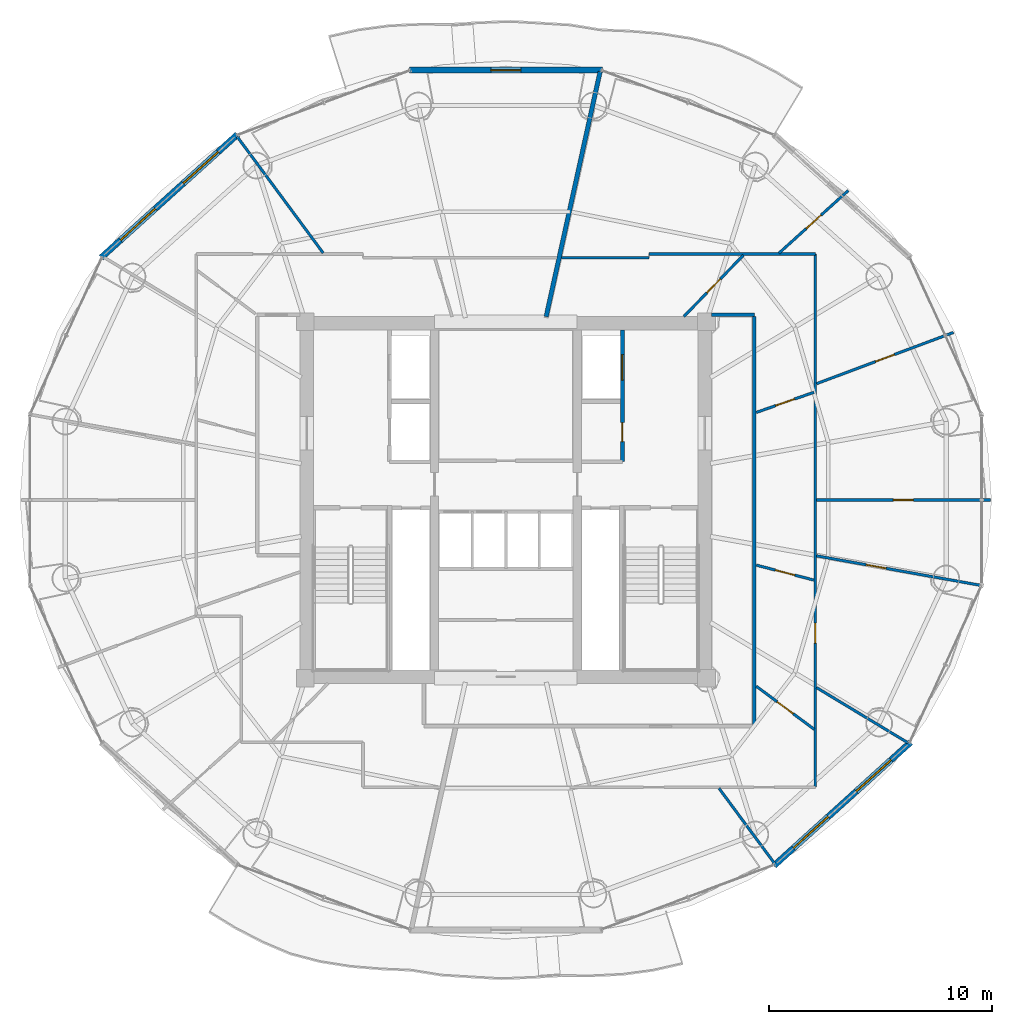
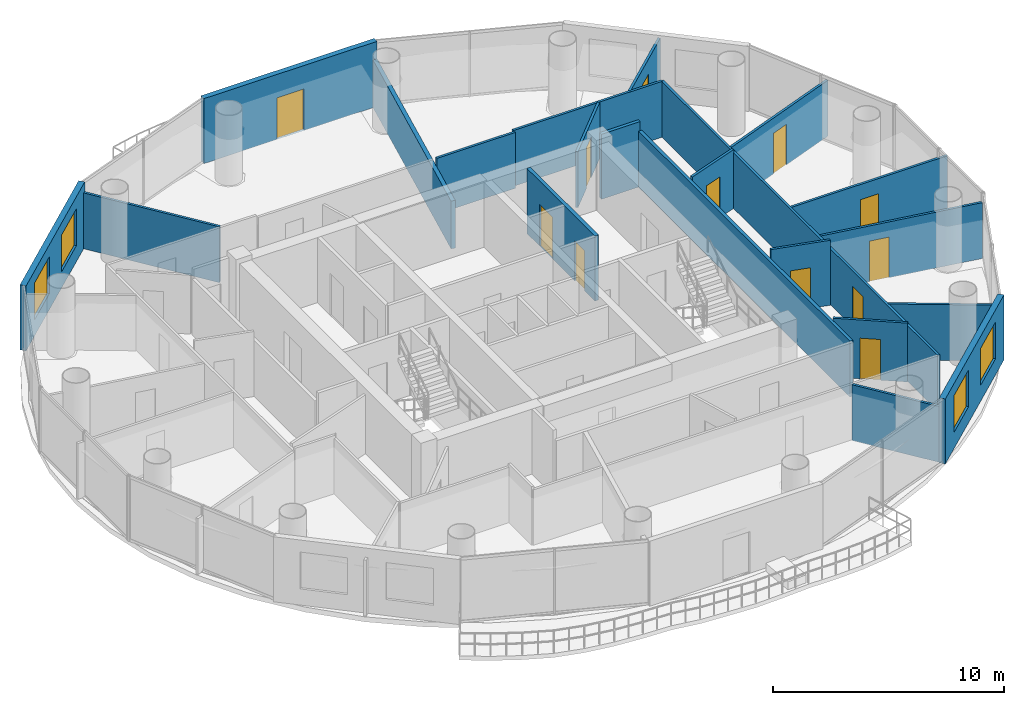
# One storey, part 22 of 26: 21 walls, 12 doors, 4 windows, 16 openings.
"""IFC4 building model written with IfcOpenShell, lengths in metres."""

import ifcopenshell
import ifcopenshell.guid

model = None  # the IFC model being written
_history = None  # IfcOwnerHistory: only IFC2X3 demands one
_inside = {}  # id of a spatial element -> (the spatial element, [elements in it])
_under = {}  # id of a project, library or spatial element -> (it, [spatial elements below it])
_declared = {}  # id of a project -> (the project, [libraries it declares])
_typed = {}  # id of a type object -> (the type object, [elements of that type])
_made_of = {}  # id of a material, layer set ... -> (it, [elements and type objects made of it])


def new_model(schema):
    """Start an empty IFC model of exactly this schema.

    Asked for "IFC4X3", IfcOpenShell would pick the latest addendum, in which some entities
    have other attributes; the version numbers below select the first issue.
    IFC2X3 requires an IfcOwnerHistory on every rooted entity: one is made here for all.
    """
    global model, _history
    if schema == "IFC4X3":
        model = ifcopenshell.file(schema_version=(4, 3, 0, 0))
    else:
        model = ifcopenshell.file(schema=schema)
    _inside.clear()
    _under.clear()
    _declared.clear()
    _typed.clear()
    _made_of.clear()
    _history = None
    if model.schema == "IFC2X3":
        org = make("IfcOrganization", Name="unknown")
        user = make(
            "IfcPersonAndOrganization",
            ThePerson=make("IfcPerson", FamilyName="unknown"),
            TheOrganization=org,
        )
        app = make(
            "IfcApplication",
            ApplicationDeveloper=org,
            Version="unknown",
            ApplicationFullName="unknown",
            ApplicationIdentifier="unknown",
        )
        _history = make(
            "IfcOwnerHistory",
            OwningUser=user,
            OwningApplication=app,
            ChangeAction="ADDED",
            CreationDate=0,
        )
    return model


def make(cls, **values):
    """One entity of the class cls with the attributes given. An attribute that is None is left unset."""
    return model.create_entity(
        cls, **{name: value for name, value in values.items() if value is not None}
    )


def rooted(cls, **values):
    """An entity with a GlobalId (a new one), such as an element, a storey or a relation."""
    return make(cls, GlobalId=ifcopenshell.guid.new(), OwnerHistory=_history, **values)


def si_unit(unit_type, name, prefix=None):
    """IfcSIUnit, for example si_unit("LENGTHUNIT", "METRE", prefix="MILLI")."""
    return make("IfcSIUnit", UnitType=unit_type, Prefix=prefix, Name=name)


def assignment(units):
    """IfcUnitAssignment: the units of a project."""
    return None if units is None else make("IfcUnitAssignment", Units=units)


def point(xyz):
    """IfcCartesianPoint."""
    return None if xyz is None else make("IfcCartesianPoint", Coordinates=xyz)


def direction(xyz):
    """IfcDirection."""
    return None if xyz is None else make("IfcDirection", DirectionRatios=xyz)


def frame(location, z_axis=None, x_axis=None):
    """IfcAxis2Placement3D, a coordinate frame: its origin and axes. An axis left out is left unset."""
    return make(
        "IfcAxis2Placement3D",
        Location=point(location),
        Axis=direction(z_axis),
        RefDirection=direction(x_axis),
    )


def frame_2d(location, x_axis=None):
    """IfcAxis2Placement2D, a coordinate frame in the plane: its origin and x axis."""
    return make(
        "IfcAxis2Placement2D", Location=point(location), RefDirection=direction(x_axis)
    )


def origin():
    """The frame at (0, 0, 0) with its axes left unset."""
    return frame((0.0, 0.0, 0.0))


def place(relative_to, where):
    """IfcLocalPlacement: puts the frame where relative to a parent placement (None: the world)."""
    return make(
        "IfcLocalPlacement", PlacementRelTo=relative_to, RelativePlacement=where
    )


def context(
    kind, dimensions, precision=None, world=None, true_north=None, identifier=None
):
    """IfcGeometricRepresentationContext, for example the 3D "Model" context."""
    return make(
        "IfcGeometricRepresentationContext",
        ContextIdentifier=identifier,
        ContextType=kind,
        CoordinateSpaceDimension=dimensions,
        Precision=precision,
        WorldCoordinateSystem=world,
        TrueNorth=true_north,
    )


def subcontext(parent, identifier, kind, view, scale=None):
    """IfcGeometricRepresentationSubContext, for example "Body" below "Model"."""
    return make(
        "IfcGeometricRepresentationSubContext",
        ContextIdentifier=identifier,
        ContextType=kind,
        ParentContext=parent,
        TargetScale=scale,
        TargetView=view,
    )


def project(units=None, contexts=None):
    """IfcProject with its units and contexts."""
    return rooted(
        "IfcProject",
        Name="project",
        RepresentationContexts=contexts,
        UnitsInContext=assignment(units),
    )


def spatial(cls, under=None, at=None, **own):
    """A site, building, storey or space (cls), placed at a placement, below another one or the project."""
    s = rooted(cls, ObjectPlacement=at, **own)
    if under is not None:
        _under.setdefault(under.id(), (under, []))[1].append(s)
    return s


def profile(cls, at=None, kind="AREA", **sizes):
    """A parametric profile (cls). Its sizes go by their IFC names, for example OverallWidth=200.0."""
    return make(cls, ProfileType=kind, Position=at, **sizes)


def rectangle(**sizes):
    """IfcRectangleProfileDef."""
    return profile("IfcRectangleProfileDef", **sizes)


def extrude(swept, where, along, depth):
    """IfcExtrudedAreaSolid: the profile swept, set in the frame where, extruded along a direction by depth."""
    return make(
        "IfcExtrudedAreaSolid",
        SweptArea=swept,
        Position=where,
        ExtrudedDirection=direction(along),
        Depth=depth,
    )


def shape(context_of_items, identifier, shape_type, items):
    """IfcShapeRepresentation: the items that make up one representation, for example the "Body"."""
    return make(
        "IfcShapeRepresentation",
        ContextOfItems=context_of_items,
        RepresentationIdentifier=identifier,
        RepresentationType=shape_type,
        Items=items,
    )


def source(mapping_origin, context_of_items, identifier, shape_type, items):
    """IfcRepresentationMap: a shape defined once, which mapped items show again and again."""
    return make(
        "IfcRepresentationMap",
        MappingOrigin=mapping_origin,
        MappedRepresentation=shape(context_of_items, identifier, shape_type, items),
    )


def transform(
    local_origin,
    x_axis=None,
    y_axis=None,
    z_axis=None,
    scale=None,
    scale2=None,
    scale3=None,
    uniform=True,
):
    """IfcCartesianTransformationOperator3D, or its non-uniform kind. x_axis, y_axis, z_axis: its Axis1, 2, 3."""
    if uniform:
        return make(
            "IfcCartesianTransformationOperator3D",
            Axis1=direction(x_axis),
            Axis2=direction(y_axis),
            LocalOrigin=point(local_origin),
            Scale=scale,
            Axis3=direction(z_axis),
        )
    return make(
        "IfcCartesianTransformationOperator3DnonUniform",
        Axis1=direction(x_axis),
        Axis2=direction(y_axis),
        LocalOrigin=point(local_origin),
        Scale=scale,
        Axis3=direction(z_axis),
        Scale2=scale2,
        Scale3=scale3,
    )


def mapped(mapping_source, mapping_target):
    """IfcMappedItem: shows the shape of a source again, moved by a transform."""
    return make(
        "IfcMappedItem", MappingSource=mapping_source, MappingTarget=mapping_target
    )


def material(Name=None, Category=None):
    """IfcMaterial."""
    return make("IfcMaterial", Name=Name, Category=Category)


def layer(
    of_material, thickness, ventilated=None, Name=None, Category=None, Priority=None
):
    """IfcMaterialLayer: one layer of a wall or slab, of a material (None: an air gap)."""
    return make(
        "IfcMaterialLayer",
        Material=of_material,
        LayerThickness=thickness,
        IsVentilated=ventilated,
        Name=Name,
        Category=Category,
        Priority=Priority,
    )


def layer_set(layers, Name=None):
    """IfcMaterialLayerSet."""
    return make("IfcMaterialLayerSet", MaterialLayers=layers, LayerSetName=Name)


def made_of(thing, what):
    """Note that an element or type object is made of a material, layer set ...; save() writes the relation."""
    if what is not None:
        _made_of.setdefault(what.id(), (what, []))[1].append(thing)
    return thing


def type_object(cls, material=None, **own):
    """A type object (cls), such as IfcWallType, which elements share."""
    return made_of(rooted(cls, **own), material)


def element(
    cls,
    number,
    at=None,
    inside=None,
    cuts=None,
    type_object=None,
    material=None,
    context=None,
    identifier="Body",
    shape_type=None,
    held_by="IfcProductDefinitionShape",
    body=None,
    shapes=None,
    **own,
):
    """One element of the class cls, such as IfcWall. Its Tag is "e" and its number.

    at: its placement. inside: the storey or other place that contains it. cuts: it is an
    opening in that element (IfcRelVoidsElement). A single representation is given by context,
    identifier, shape_type and body (its items); several are given by shapes. held_by: the class
    of the entity that holds the representations. save() writes the other relations.
    """
    e = rooted(cls, Tag="e%d" % number, ObjectPlacement=at, **own)
    if body is not None:
        shapes = [shape(context, identifier, shape_type, body)]
    if shapes is not None:
        e.Representation = make(held_by, Representations=shapes)
    if inside is not None:
        _inside.setdefault(inside.id(), (inside, []))[1].append(e)
    if cuts is not None:
        rooted(
            "IfcRelVoidsElement", RelatingBuildingElement=cuts, RelatedOpeningElement=e
        )
    if type_object is not None:
        _typed.setdefault(type_object.id(), (type_object, []))[1].append(e)
    return made_of(e, material)


def fill(opening, filler):
    """IfcRelFillsElement: the door or window that sits in an opening."""
    return rooted(
        "IfcRelFillsElement",
        RelatingOpeningElement=opening,
        RelatedBuildingElement=filler,
    )


def aggregate(whole, parts):
    """IfcRelAggregates: a whole, such as a stair, and the parts it consists of."""
    return rooted("IfcRelAggregates", RelatingObject=whole, RelatedObjects=parts)


def save(model, path):
    """Write the relations noted so far, then the file.

    IfcRelAggregates (storeys below a building ...), IfcRelContainedInSpatialStructure (elements
    in a storey), IfcRelDefinesByType, IfcRelAssociatesMaterial and IfcRelDeclares: one each for
    every whole, place, type object, material and project.
    """
    for whole, parts in _under.values():
        aggregate(whole, parts)
    for where, things in _inside.values():
        rooted(
            "IfcRelContainedInSpatialStructure",
            RelatedElements=things,
            RelatingStructure=where,
        )
    for kind, things in _typed.values():
        rooted("IfcRelDefinesByType", RelatedObjects=things, RelatingType=kind)
    for what, things in _made_of.values():
        rooted("IfcRelAssociatesMaterial", RelatedObjects=things, RelatingMaterial=what)
    for by, libraries in _declared.values():
        rooted("IfcRelDeclares", RelatingContext=by, RelatedDefinitions=libraries)
    model.write(path)


model = new_model("IFC4")

# Units and contexts
model_context = context("Model", 3, precision=1e-05, world=origin(), true_north=direction((-0.2419218956, 0.970295726276)))
body_context = subcontext(model_context, "Body", "Model", "MODEL_VIEW")
ifc_project = project(units=[si_unit("LENGTHUNIT", "METRE"), si_unit("AREAUNIT", "SQUARE_METRE"), si_unit("VOLUMEUNIT", "CUBIC_METRE"), si_unit("PLANEANGLEUNIT", "RADIAN"), si_unit("MASSUNIT", "GRAM", prefix="KILO")], contexts=[model_context])

# Site, building, storey
site_placement = place(None, origin())
site = spatial("IfcSite", under=ifc_project, at=site_placement, CompositionType="ELEMENT")
building_placement = place(site_placement, origin())
building = spatial("IfcBuilding", under=site, at=building_placement, Name="Cobrevalo Terracotta Tower", CompositionType="ELEMENT")
storey_placement = place(building_placement, frame((0.0, 0.0, 231.89990234375)))
storey = spatial("IfcBuildingStorey", under=building, at=storey_placement, Name="L61", CompositionType="ELEMENT", Elevation=231.89990234375)

# Walls
ifc_material_1 = material(Name="Gypsum board on steel stud", Category="steel")
ifc_layer_1 = layer(ifc_material_1, 0.159912109375)
ifc_layer_set_1 = layer_set([ifc_layer_1], Name="Gypsum board on steel stud")
wall_type_1 = type_object("IfcWallType", Name="Fire-rated corridor acoustic partition wall 160 mm", PredefinedType="PARTITIONING", material=ifc_layer_set_1)
wall_1_placement = place(storey_placement, frame((49.155029296875, 16.72509765625, 0.0), z_axis=(0.0, 0.0, 1.0), x_axis=(0.0, 1.0, 0.0)))
element("IfcWall", 1, at=wall_1_placement, inside=storey, type_object=wall_type_1, Name="L61 interior partition IW-L61-COR-E", PredefinedType="PARTITIONING", context=body_context, shape_type="SweptSolid", body=[
    extrude(rectangle(XDim=18.2998046875, YDim=0.159912109375, at=frame_2d((9.14990234375, 0.0))), origin(), (0.0, 0.0, 1.0), 2.951171875),
])
wall_2_placement = place(storey_placement, frame((47.22509765625, 35.10498046875, 0.0), z_axis=(0.0, 0.0, 1.0), x_axis=(1.0, 0.0, 0.0)))
element("IfcWall", 2, at=wall_2_placement, inside=storey, type_object=wall_type_1, Name="L61 interior partition IW-L61-COR-EN-CAP", PredefinedType="PARTITIONING", context=body_context, shape_type="SweptSolid", body=[
    extrude(rectangle(XDim=1.929931640625, YDim=0.159912109375, at=frame_2d((0.96484375, 0.0))), origin(), (0.0, 0.0, 1.0), 3.43505859375),
])

# Wall, openings, doors
ifc_layer_2 = layer(ifc_material_1, 0.179931640625)
ifc_layer_set_2 = layer_set([ifc_layer_2], Name="Gypsum board on steel stud")
wall_type_2 = type_object("IfcWallType", Name="Fire-rated shaft & lobby acoustic partition wall 180 mm", PredefinedType="PARTITIONING", material=ifc_layer_set_2)
wall_3_placement = place(storey_placement, frame((43.22998046875, 28.52001953125, 0.0), z_axis=(0.0, 0.0, 1.0), x_axis=(0.0, 1.0, 0.0)))
wall_3 = element("IfcWall", 3, at=wall_3_placement, inside=storey, type_object=wall_type_2, Name="L61 interior partition IW-L61-FF2-E", PredefinedType="PARTITIONING", context=body_context, shape_type="SweptSolid", body=[
    extrude(rectangle(XDim=5.905029296875, YDim=0.179931640625, at=frame_2d((2.95263671875, 0.0))), origin(), (0.0, 0.0, 1.0), 3.43505859375),
])
opening_1_placement = place(wall_3_placement, frame((0.905029296875, 0.0, 0.0)))
opening_1 = element("IfcOpeningElement", 4, at=opening_1_placement, cuts=wall_3, Name="Opening ID-22", PredefinedType="OPENING", context=body_context, shape_type="SweptSolid", body=[
    extrude(rectangle(XDim=0.85009765625, YDim=2.10009765625, at=frame_2d((0.425048828125, 1.050048828125))), frame((0.0, 0.10009765625, 0.0), z_axis=(0.0, -1.0, 0.0), x_axis=(1.0, 0.0, 0.0)), (0.0, 0.0, 1.0), 0.199951171875),
])
opening_2_placement = place(wall_3_placement, frame((3.655029296875, 0.0, 0.0)))
opening_2 = element("IfcOpeningElement", 5, at=opening_2_placement, cuts=wall_3, Name="Opening LD-02", PredefinedType="OPENING", context=body_context, shape_type="SweptSolid", body=[
    extrude(rectangle(XDim=1.14990234375, YDim=2.199951171875, at=frame_2d((0.574951171875, 1.10009765625))), frame((0.0, 0.10009765625, 0.0), z_axis=(0.0, -1.0, 0.0), x_axis=(1.0, 0.0, 0.0)), (0.0, 0.0, 1.0), 0.199951171875),
])
ifc_material_2 = material(Name="Powder-coated steel", Category="steel")
door_type_1 = type_object("IfcDoorType", Name="Riser shaft & meter closet fire access door 850x2100 EI 60", OperationType="NOTDEFINED", PredefinedType="DOOR", material=ifc_material_2)
shared_shape_1 = source(origin(), body_context, "Body", "SweptSolid", [
    extrude(rectangle(XDim=0.85009765625, YDim=2.10009765625, at=frame_2d((0.425048828125, 1.050048828125))), frame((0.0, 0.02490234375, 0.0), z_axis=(0.0, -1.0, 0.0), x_axis=(1.0, 0.0, 0.0)), (0.0, 0.0, 1.0), 0.050048828125),
])
door_1_placement = place(opening_1_placement, frame((0.85009765625, 0.0, 0.0), z_axis=(0.0, 0.0, 1.0), x_axis=(-1.0, 0.0, 0.0)))
door_1 = element("IfcDoor", 6, at=door_1_placement, inside=storey, type_object=door_type_1, Name="L61 housekeeping store door", OperationType="SINGLE_SWING_RIGHT", OverallHeight=2.10009765625, OverallWidth=0.85009765625, PredefinedType="DOOR", context=body_context, shape_type="MappedRepresentation", body=[
    mapped(shared_shape_1, transform((0.0, 0.0, 0.0), scale=1.0)),
])
fill(opening_1, door_1)
ifc_material_3 = material(Name="Brushed stainless steel", Category="steel")
door_type_2 = type_object("IfcDoorType", Name="Firefighting lift landing bi-parting sliding door 1150x2200 EI 120", OperationType="DOUBLE_DOOR_SLIDING", PredefinedType="DOOR", material=ifc_material_3)
shared_shape_2 = source(origin(), body_context, "Body", "SweptSolid", [
    extrude(rectangle(XDim=1.14990234375, YDim=2.199951171875, at=frame_2d((0.574951171875, 1.10009765625))), frame((0.0, 0.02490234375, 0.0), z_axis=(0.0, -1.0, 0.0), x_axis=(1.0, 0.0, 0.0)), (0.0, 0.0, 1.0), 0.050048828125),
])
door_2_placement = place(opening_2_placement, origin())
door_2 = element("IfcDoor", 7, at=door_2_placement, inside=storey, type_object=door_type_2, Name="L61 lift landing door FF-2", OperationType="DOUBLE_DOOR_SLIDING", OverallHeight=2.199951171875, OverallWidth=1.14990234375, PredefinedType="DOOR", context=body_context, shape_type="MappedRepresentation", body=[
    mapped(shared_shape_2, transform((0.0, 0.0, 0.0), scale=1.0)),
])
fill(opening_2, door_2)

# Wall
ifc_material_4 = material(Name="Autoclaved aerated concrete block", Category="concrete")
ifc_layer_3 = layer(ifc_material_4, 0.199951171875)
ifc_layer_set_3 = layer_set([ifc_layer_3], Name="Autoclaved aerated concrete block")
wall_type_3 = type_object("IfcWallType", Name="Fire-rated stair, shaft & demising masonry wall 200 mm", PredefinedType="PARTITIONING", material=ifc_layer_set_3)
wall_4_placement = place(storey_placement, frame((39.810791015625, 35.02685546875, 0.0), z_axis=(0.0, 0.0, 1.0), x_axis=(0.214966857327, 0.976621344356, 0.0)))
element("IfcWall", 8, at=wall_4_placement, inside=storey, type_object=wall_type_3, Name="L61 interior partition IW-L61-DEM-1", PredefinedType="PARTITIONING", context=body_context, shape_type="SweptSolid", body=[
    extrude(rectangle(XDim=11.25830078125, YDim=0.199951171875, at=frame_2d((5.629150390625, 0.0))), origin(), (0.0, 0.0, 1.0), 2.52001953125),
])

# Wall, openings, windows
ifc_layer_4 = layer(ifc_material_4, 0.280029296875)
ifc_layer_set_4 = layer_set([ifc_layer_4], Name="Autoclaved aerated concrete block")
wall_type_4 = type_object("IfcWallType", Name="Insulated tower spandrel & pier wall 280 mm with terracotta rainscreen", PredefinedType="SOLIDWALL", material=ifc_layer_set_4)
wall_5_placement = place(storey_placement, frame((25.964599609375, 43.208740234375, 0.0), z_axis=(0.0, 0.0, 1.0), x_axis=(-0.741972126783, -0.670430729514, 0.0)))
wall_5 = element("IfcWall", 9, at=wall_5_placement, inside=storey, type_object=wall_type_4, Name="L61 terracotta rainscreen pier wall S06", PredefinedType="SOLIDWALL", context=body_context, shape_type="SweptSolid", body=[
    extrude(rectangle(XDim=8.255126953125, YDim=0.280029296875, at=frame_2d((4.12744140625, 0.0))), origin(), (0.0, 0.0, 1.0), 3.43505859375),
])
opening_3_placement = place(wall_5_placement, frame((1.1787109375, 0.0, 0.85009765625)))
opening_3 = element("IfcOpeningElement", 10, at=opening_3_placement, cuts=wall_5, Name="Opening WN-10", PredefinedType="OPENING", context=body_context, shape_type="SweptSolid", body=[
    extrude(rectangle(XDim=2.10009765625, YDim=1.949951171875, at=frame_2d((1.050048828125, 0.97509765625))), frame((0.0, 0.14990234375, 0.0), z_axis=(0.0, -1.0, 0.0), x_axis=(1.0, 0.0, 0.0)), (0.0, 0.0, 1.0), 0.300048828125),
])
opening_4_placement = place(wall_5_placement, frame((4.97607421875, 0.0, 0.85009765625)))
opening_4 = element("IfcOpeningElement", 11, at=opening_4_placement, cuts=wall_5, Name="Opening WN-10", PredefinedType="OPENING", context=body_context, shape_type="SweptSolid", body=[
    extrude(rectangle(XDim=2.10009765625, YDim=1.949951171875, at=frame_2d((1.050048828125, 0.97509765625))), frame((0.0, 0.14990234375, 0.0), z_axis=(0.0, -1.0, 0.0), x_axis=(1.0, 0.0, 0.0)), (0.0, 0.0, 1.0), 0.300048828125),
])
ifc_material_5 = material(Name="Solar-control low-E double glazing", Category="glass")
window_type = type_object("IfcWindowType", Name="Wide panoramic low-E aluminium window 2100x1950", PartitioningType="SINGLE_PANEL", PredefinedType="WINDOW", material=ifc_material_5)
shared_shape_3 = source(origin(), body_context, "Body", "SweptSolid", [
    extrude(rectangle(XDim=2.10009765625, YDim=1.949951171875, at=frame_2d((1.050048828125, 0.97509765625))), frame((0.0, 0.030029296875, 0.0), z_axis=(0.0, -1.0, 0.0), x_axis=(1.0, 0.0, 0.0)), (0.0, 0.0, 1.0), 0.06005859375),
])
window_1_placement = place(opening_3_placement, origin())
window_1 = element("IfcWindow", 12, at=window_1_placement, inside=storey, type_object=window_type, Name="L61 suite window S06A", OverallHeight=1.949951171875, OverallWidth=2.10009765625, PartitioningType="SINGLE_PANEL", PredefinedType="WINDOW", context=body_context, shape_type="MappedRepresentation", body=[
    mapped(shared_shape_3, transform((0.0, 0.0, 0.0), scale=1.0)),
])
fill(opening_3, window_1)
window_2_placement = place(opening_4_placement, origin())
window_2 = element("IfcWindow", 13, at=window_2_placement, inside=storey, type_object=window_type, Name="L61 suite window S06B", OverallHeight=1.949951171875, OverallWidth=2.10009765625, PartitioningType="SINGLE_PANEL", PredefinedType="WINDOW", context=body_context, shape_type="MappedRepresentation", body=[
    mapped(shared_shape_3, transform((0.0, 0.0, 0.0), scale=1.0)),
])
fill(opening_4, window_2)

wall_6_placement = place(storey_placement, frame((50.035400390625, 10.391357421875, 0.0), z_axis=(0.0, 0.0, 1.0), x_axis=(0.741986838603, 0.670414447443, 0.0)))
wall_6 = element("IfcWall", 14, at=wall_6_placement, inside=storey, type_object=wall_type_4, Name="L61 terracotta rainscreen pier wall S14", PredefinedType="SOLIDWALL", context=body_context, shape_type="SweptSolid", body=[
    extrude(rectangle(XDim=8.2548828125, YDim=0.280029296875, at=frame_2d((4.12744140625, 0.0))), origin(), (0.0, 0.0, 1.0), 3.43505859375),
])
opening_5_placement = place(wall_6_placement, frame((1.1787109375, 0.0, 0.85009765625)))
opening_5 = element("IfcOpeningElement", 15, at=opening_5_placement, cuts=wall_6, Name="Opening WN-10", PredefinedType="OPENING", context=body_context, shape_type="SweptSolid", body=[
    extrude(rectangle(XDim=2.10009765625, YDim=1.949951171875, at=frame_2d((1.050048828125, 0.97509765625))), frame((0.0, 0.14990234375, 0.0), z_axis=(0.0, -1.0, 0.0), x_axis=(1.0, 0.0, 0.0)), (0.0, 0.0, 1.0), 0.300048828125),
])
opening_6_placement = place(wall_6_placement, frame((4.97607421875, 0.0, 0.85009765625)))
opening_6 = element("IfcOpeningElement", 16, at=opening_6_placement, cuts=wall_6, Name="Opening WN-10", PredefinedType="OPENING", context=body_context, shape_type="SweptSolid", body=[
    extrude(rectangle(XDim=2.10009765625, YDim=1.949951171875, at=frame_2d((1.050048828125, 0.97509765625))), frame((0.0, 0.14990234375, 0.0), z_axis=(0.0, -1.0, 0.0), x_axis=(1.0, 0.0, 0.0)), (0.0, 0.0, 1.0), 0.300048828125),
])
window_3_placement = place(opening_5_placement, origin())
window_3 = element("IfcWindow", 17, at=window_3_placement, inside=storey, type_object=window_type, Name="L61 suite window S14A", OverallHeight=1.949951171875, OverallWidth=2.10009765625, PartitioningType="SINGLE_PANEL", PredefinedType="WINDOW", context=body_context, shape_type="MappedRepresentation", body=[
    mapped(shared_shape_3, transform((0.0, 0.0, 0.0), scale=1.0)),
])
fill(opening_5, window_3)
window_4_placement = place(opening_6_placement, origin())
window_4 = element("IfcWindow", 18, at=window_4_placement, inside=storey, type_object=window_type, Name="L61 suite window S14B", OverallHeight=1.949951171875, OverallWidth=2.10009765625, PartitioningType="SINGLE_PANEL", PredefinedType="WINDOW", context=body_context, shape_type="MappedRepresentation", body=[
    mapped(shared_shape_3, transform((0.0, 0.0, 0.0), scale=1.0)),
])
fill(opening_6, window_4)

# Wall, opening, door
ifc_layer_5 = layer(ifc_material_4, 0.260009765625)
ifc_layer_set_5 = layer_set([ifc_layer_5], Name="Autoclaved aerated concrete block")
wall_type_5 = type_object("IfcWallType", Name="Recessed balcony loggia insulated exterior wall 260 mm", PredefinedType="SOLIDWALL", material=ifc_layer_set_5)
wall_7_placement = place(storey_placement, frame((42.3271484375, 46.092041015625, 0.0), z_axis=(0.0, 0.0, 1.0), x_axis=(-1.0, 0.0, 0.0)))
wall_7 = element("IfcWall", 19, at=wall_7_placement, inside=storey, type_object=wall_type_5, Name="L61 balcony loggia wall S04", PredefinedType="SOLIDWALL", context=body_context, shape_type="SweptSolid", body=[
    extrude(rectangle(XDim=8.654296875, YDim=0.260009765625, at=frame_2d((4.3271484375, 0.0))), origin(), (0.0, 0.0, 1.0), 3.43505859375),
])
opening_7_placement = place(wall_7_placement, frame((3.652099609375, 0.0, 0.0)))
opening_7 = element("IfcOpeningElement", 20, at=opening_7_placement, cuts=wall_7, Name="Opening ED-05", PredefinedType="OPENING", context=body_context, shape_type="SweptSolid", body=[
    extrude(rectangle(XDim=1.35009765625, YDim=2.199951171875, at=frame_2d((0.675048828125, 1.10009765625))), frame((0.0, 0.14013671875, 0.0), z_axis=(0.0, -1.0, 0.0), x_axis=(1.0, 0.0, 0.0)), (0.0, 0.0, 1.0), 0.280029296875),
])
ifc_material_6 = material(Name="Anodized aluminium and laminated glass", Category="aluminium")
door_type_3 = type_object("IfcDoorType", Name="Suite balcony acoustic glazed terrace door 1350x2200", OperationType="NOTDEFINED", PredefinedType="DOOR", material=ifc_material_6)
shared_shape_4 = source(origin(), body_context, "Body", "SweptSolid", [
    extrude(rectangle(XDim=1.35009765625, YDim=2.199951171875, at=frame_2d((0.675048828125, 1.10009765625))), frame((0.0, 0.02490234375, 0.0), z_axis=(0.0, -1.0, 0.0), x_axis=(1.0, 0.0, 0.0)), (0.0, 0.0, 1.0), 0.050048828125),
])
door_3_placement = place(opening_7_placement, frame((1.35009765625, 0.0, 0.0), z_axis=(0.0, 0.0, 1.0), x_axis=(-1.0, 0.0, 0.0)))
door_3 = element("IfcDoor", 21, at=door_3_placement, inside=storey, type_object=door_type_3, Name="L61 glazed balcony terrace door 1", OperationType="SINGLE_SWING_LEFT", OverallHeight=2.199951171875, OverallWidth=1.35009765625, PredefinedType="DOOR", context=body_context, shape_type="MappedRepresentation", body=[
    mapped(shared_shape_4, transform((0.0, 0.0, 0.0), scale=1.0)),
])
fill(opening_7, door_3)

# Walls
ifc_layer_6 = layer(ifc_material_1, 0.1201171875)
ifc_layer_set_6 = layer_set([ifc_layer_6], Name="Gypsum board on steel stud")
wall_type_6 = type_object("IfcWallType", Name="Residential internal acoustic stud partition 120 mm", PredefinedType="PARTITIONING", material=ifc_layer_set_6)
wall_8_placement = place(storey_placement, frame((29.8037109375, 37.884765625, 0.0), z_axis=(0.0, 0.0, 1.0), x_axis=(-0.594507557292, 0.804090022524, 0.0)))
element("IfcWall", 22, at=wall_8_placement, inside=storey, type_object=wall_type_6, Name="L61 interior partition IW-L61-U1-ORAD1", PredefinedType="PARTITIONING", context=body_context, shape_type="SweptSolid", body=[
    extrude(rectangle(XDim=6.4814453125, YDim=0.1201171875, at=frame_2d((3.24072265625, 0.0))), origin(), (0.0, 0.0, 1.0), 2.951171875),
])
wall_9_placement = place(storey_placement, frame((40.495849609375, 37.675048828125, 0.0), z_axis=(0.0, 0.0, 1.0), x_axis=(1.0, 0.0, 0.0)))
element("IfcWall", 23, at=wall_9_placement, inside=storey, type_object=wall_type_6, Name="L61 interior partition IW-L61-U2-RING0_0", PredefinedType="PARTITIONING", context=body_context, shape_type="SweptSolid", body=[
    extrude(rectangle(XDim=3.919189453125, YDim=0.1201171875, at=frame_2d((1.95947265625, 0.0))), origin(), (0.0, 0.0, 1.0), 2.951171875),
])
wall_10_placement = place(storey_placement, frame((44.4150390625, 37.8349609375, 0.0), z_axis=(0.0, 0.0, 1.0), x_axis=(1.0, 0.0, 0.0)))
element("IfcWall", 24, at=wall_10_placement, inside=storey, type_object=wall_type_6, Name="L61 interior partition IW-L61-U2-RING2_0", PredefinedType="PARTITIONING", context=body_context, shape_type="SweptSolid", body=[
    extrude(rectangle(XDim=7.469970703125, YDim=0.1201171875, at=frame_2d((3.73486328125, 0.0))), origin(), (0.0, 0.0, 1.0), 2.951171875),
])

# Wall, opening, door
wall_11_placement = place(storey_placement, frame((51.885009765625, 37.8349609375, 0.0), z_axis=(0.0, 0.0, 1.0), x_axis=(0.0, -1.0, 0.0)))
wall_11 = element("IfcWall", 25, at=wall_11_placement, inside=storey, type_object=wall_type_6, Name="L61 interior partition IW-L61-U2-RING3_0", PredefinedType="PARTITIONING", context=body_context, shape_type="SweptSolid", body=[
    extrude(rectangle(XDim=23.919921875, YDim=0.1201171875, at=frame_2d((11.9599609375, 0.0))), origin(), (0.0, 0.0, 1.0), 2.951171875),
])
opening_8_placement = place(wall_11_placement, frame((16.55810546875, 0.0, 0.0)))
opening_8 = element("IfcOpeningElement", 26, at=opening_8_placement, cuts=wall_11, Name="Opening ID-12", PredefinedType="OPENING", context=body_context, shape_type="SweptSolid", body=[
    extrude(rectangle(XDim=0.89990234375, YDim=2.14990234375, at=frame_2d((0.449951171875, 1.074951171875))), frame((0.0, 0.070068359375, 0.0), z_axis=(0.0, -1.0, 0.0), x_axis=(1.0, 0.0, 0.0)), (0.0, 0.0, 1.0), 0.14013671875),
])
ifc_material_7 = material(Name="Engineered timber", Category="wood")
door_type_4 = type_object("IfcDoorType", Name="Internal residence & suite timber door 900x2150", OperationType="NOTDEFINED", PredefinedType="DOOR", material=ifc_material_7)
shared_shape_5 = source(origin(), body_context, "Body", "SweptSolid", [
    extrude(rectangle(XDim=0.89990234375, YDim=2.14990234375, at=frame_2d((0.449951171875, 1.074951171875))), frame((0.0, 0.02490234375, 0.0), z_axis=(0.0, -1.0, 0.0), x_axis=(1.0, 0.0, 0.0)), (0.0, 0.0, 1.0), 0.050048828125),
])
door_4_placement = place(opening_8_placement, origin())
door_4 = element("IfcDoor", 27, at=door_4_placement, inside=storey, type_object=door_type_4, Name="Flat L61B Principal Guest Bedroom internal door", OperationType="SINGLE_SWING_LEFT", OverallHeight=2.14990234375, OverallWidth=0.89990234375, PredefinedType="DOOR", context=body_context, shape_type="MappedRepresentation", body=[
    mapped(shared_shape_5, transform((0.0, 0.0, 0.0), scale=1.0)),
])
fill(opening_8, door_4)

# Walls
wall_12_placement = place(storey_placement, frame((47.564208984375, 13.865234375, 0.0), z_axis=(0.0, 0.0, 1.0), x_axis=(0.594501071103, -0.804094818076, 0.0)))
element("IfcWall", 28, at=wall_12_placement, inside=storey, type_object=wall_type_6, Name="L61 interior partition IW-L61-U2-ORAD1", PredefinedType="PARTITIONING", context=body_context, shape_type="SweptSolid", body=[
    extrude(rectangle(XDim=4.1806640625, YDim=0.1201171875, at=frame_2d((2.09033203125, 0.0))), origin(), (0.0, 0.0, 1.0), 2.951171875),
])
wall_13_placement = place(storey_placement, frame((51.93798828125, 18.384033203125, 0.0), z_axis=(0.0, 0.0, 1.0), x_axis=(0.856058483833, -0.516878972543, 0.0)))
element("IfcWall", 29, at=wall_13_placement, inside=storey, type_object=wall_type_6, Name="L61 interior partition IW-L61-U2-ORAD2", PredefinedType="PARTITIONING", context=body_context, shape_type="SweptSolid", body=[
    extrude(rectangle(XDim=4.78662109375, YDim=0.1201171875, at=frame_2d((2.393310546875, 0.0))), origin(), (0.0, 0.0, 1.0), 2.951171875),
])

# Wall, opening, door
wall_14_placement = place(storey_placement, frame((51.946044921875, 24.293212890625, 0.0), z_axis=(0.0, 0.0, 1.0), x_axis=(0.984227185588, -0.176909149424, 0.0)))
wall_14 = element("IfcWall", 30, at=wall_14_placement, inside=storey, type_object=wall_type_6, Name="L61 interior partition IW-L61-U2-ORAD3", PredefinedType="PARTITIONING", context=body_context, shape_type="SweptSolid", body=[
    extrude(rectangle(XDim=7.447998046875, YDim=0.1201171875, at=frame_2d((3.72412109375, 0.0))), origin(), (0.0, 0.0, 1.0), 2.951171875),
])
opening_9_placement = place(wall_14_placement, frame((2.263916015625, 0.0, 0.0)))
opening_9 = element("IfcOpeningElement", 31, at=opening_9_placement, cuts=wall_14, Name="Opening ID-12", PredefinedType="OPENING", context=body_context, shape_type="SweptSolid", body=[
    extrude(rectangle(XDim=0.89990234375, YDim=2.14990234375, at=frame_2d((0.449951171875, 1.074951171875))), frame((0.0, 0.070068359375, 0.0), z_axis=(0.0, -1.0, 0.0), x_axis=(1.0, 0.0, 0.0)), (0.0, 0.0, 1.0), 0.14013671875),
])
door_5_placement = place(opening_9_placement, origin())
door_5 = element("IfcDoor", 32, at=door_5_placement, inside=storey, type_object=door_type_4, Name="Flat L61B North Bedroom internal door", OperationType="SINGLE_SWING_RIGHT", OverallHeight=2.14990234375, OverallWidth=0.89990234375, PredefinedType="DOOR", context=body_context, shape_type="MappedRepresentation", body=[
    mapped(shared_shape_5, transform((0.0, 0.0, 0.0), scale=1.0)),
])
fill(opening_9, door_5)

wall_15_placement = place(storey_placement, frame((51.947021484375, 26.800048828125, 0.0), z_axis=(0.0, 0.0, 1.0), x_axis=(1.0, 0.0, 0.0)))
wall_15 = element("IfcWall", 33, at=wall_15_placement, inside=storey, type_object=wall_type_6, Name="L61 interior partition IW-L61-U2-ORAD4M1", PredefinedType="PARTITIONING", context=body_context, shape_type="SweptSolid", body=[
    extrude(rectangle(XDim=7.79296875, YDim=0.1201171875, at=frame_2d((3.896484375, 0.0))), origin(), (0.0, 0.0, 1.0), 2.951171875),
])
opening_10_placement = place(wall_15_placement, frame((3.446533203125, 0.0, 0.0)))
opening_10 = element("IfcOpeningElement", 34, at=opening_10_placement, cuts=wall_15, Name="Opening ID-12", PredefinedType="OPENING", context=body_context, shape_type="SweptSolid", body=[
    extrude(rectangle(XDim=0.89990234375, YDim=2.14990234375, at=frame_2d((0.449951171875, 1.074951171875))), frame((0.0, 0.070068359375, 0.0), z_axis=(0.0, -1.0, 0.0), x_axis=(1.0, 0.0, 0.0)), (0.0, 0.0, 1.0), 0.14013671875),
])
door_6_placement = place(opening_10_placement, origin())
door_6 = element("IfcDoor", 35, at=door_6_placement, inside=storey, type_object=door_type_4, Name="Flat L61B Principal Guest Bedroom internal door", OperationType="SINGLE_SWING_LEFT", OverallHeight=2.14990234375, OverallWidth=0.89990234375, PredefinedType="DOOR", context=body_context, shape_type="MappedRepresentation", body=[
    mapped(shared_shape_5, transform((0.0, 0.0, 0.0), scale=1.0)),
])
fill(opening_10, door_6)

wall_16_placement = place(storey_placement, frame((51.943115234375, 32.01904296875, 0.0), z_axis=(0.0, 0.0, 1.0), x_axis=(0.936540194592, 0.350560214389, 0.0)))
wall_16 = element("IfcWall", 36, at=wall_16_placement, inside=storey, type_object=wall_type_6, Name="L61 interior partition IW-L61-U2-ORAD4", PredefinedType="PARTITIONING", context=body_context, shape_type="SweptSolid", body=[
    extrude(rectangle(XDim=6.55615234375, YDim=0.1201171875, at=frame_2d((3.278076171875, 0.0))), origin(), (0.0, 0.0, 1.0), 2.951171875),
])
opening_11_placement = place(wall_16_placement, frame((2.828125, 0.0, 0.0)))
opening_11 = element("IfcOpeningElement", 37, at=opening_11_placement, cuts=wall_16, Name="Opening ID-12", PredefinedType="OPENING", context=body_context, shape_type="SweptSolid", body=[
    extrude(rectangle(XDim=0.89990234375, YDim=2.14990234375, at=frame_2d((0.449951171875, 1.074951171875))), frame((0.0, 0.070068359375, 0.0), z_axis=(0.0, -1.0, 0.0), x_axis=(1.0, 0.0, 0.0)), (0.0, 0.0, 1.0), 0.14013671875),
])
door_7_placement = place(opening_11_placement, origin())
door_7 = element("IfcDoor", 38, at=door_7_placement, inside=storey, type_object=door_type_4, Name="Flat L61B Penthouse Family Lounge internal door", OperationType="SINGLE_SWING_RIGHT", OverallHeight=2.14990234375, OverallWidth=0.89990234375, PredefinedType="DOOR", context=body_context, shape_type="MappedRepresentation", body=[
    mapped(shared_shape_5, transform((0.0, 0.0, 0.0), scale=1.0)),
])
fill(opening_11, door_7)

wall_17_placement = place(storey_placement, frame((50.25732421875, 37.87646484375, 0.0), z_axis=(0.0, 0.0, 1.0), x_axis=(0.741943837234, 0.670462036502, 0.0)))
wall_17 = element("IfcWall", 39, at=wall_17_placement, inside=storey, type_object=wall_type_6, Name="L61 interior partition IW-L61-U2-ORAD5", PredefinedType="PARTITIONING", context=body_context, shape_type="SweptSolid", body=[
    extrude(rectangle(XDim=4.194091796875, YDim=0.1201171875, at=frame_2d((2.09716796875, 0.0))), origin(), (0.0, 0.0, 1.0), 2.951171875),
])
opening_12_placement = place(wall_17_placement, frame((1.64697265625, 0.0, 0.0)))
opening_12 = element("IfcOpeningElement", 40, at=opening_12_placement, cuts=wall_17, Name="Opening ID-12", PredefinedType="OPENING", context=body_context, shape_type="SweptSolid", body=[
    extrude(rectangle(XDim=0.89990234375, YDim=2.14990234375, at=frame_2d((0.449951171875, 1.074951171875))), frame((0.0, 0.070068359375, 0.0), z_axis=(0.0, -1.0, 0.0), x_axis=(1.0, 0.0, 0.0)), (0.0, 0.0, 1.0), 0.14013671875),
])
door_8_placement = place(opening_12_placement, origin())
door_8 = element("IfcDoor", 41, at=door_8_placement, inside=storey, type_object=door_type_4, Name="Flat L61B Private Cinema Room internal door", OperationType="SINGLE_SWING_LEFT", OverallHeight=2.14990234375, OverallWidth=0.89990234375, PredefinedType="DOOR", context=body_context, shape_type="MappedRepresentation", body=[
    mapped(shared_shape_5, transform((0.0, 0.0, 0.0), scale=1.0)),
])
fill(opening_12, door_8)

wall_18_placement = place(storey_placement, frame((49.236572265625, 18.4443359375, 0.0), z_axis=(0.0, 0.0, 1.0), x_axis=(0.802454010275, -0.596713969497, 0.0)))
wall_18 = element("IfcWall", 42, at=wall_18_placement, inside=storey, type_object=wall_type_6, Name="L61 interior partition IW-L61-U2-IRAD2", PredefinedType="PARTITIONING", context=body_context, shape_type="SweptSolid", body=[
    extrude(rectangle(XDim=3.23828125, YDim=0.1201171875, at=frame_2d((1.619140625, 0.0))), origin(), (0.0, 0.0, 1.0), 3.110107421875),
])
opening_13_placement = place(wall_18_placement, frame((1.169189453125, 0.0, 0.0)))
opening_13 = element("IfcOpeningElement", 43, at=opening_13_placement, cuts=wall_18, Name="Opening ID-12", PredefinedType="OPENING", context=body_context, shape_type="SweptSolid", body=[
    extrude(rectangle(XDim=0.89990234375, YDim=2.14990234375, at=frame_2d((0.449951171875, 1.074951171875))), frame((0.0, 0.070068359375, 0.0), z_axis=(0.0, -1.0, 0.0), x_axis=(1.0, 0.0, 0.0)), (0.0, 0.0, 1.0), 0.14013671875),
])
door_9_placement = place(opening_13_placement, origin())
door_9 = element("IfcDoor", 44, at=door_9_placement, inside=storey, type_object=door_type_4, Name="Flat L61B Kitchen internal door", OperationType="SINGLE_SWING_RIGHT", OverallHeight=2.14990234375, OverallWidth=0.89990234375, PredefinedType="DOOR", context=body_context, shape_type="MappedRepresentation", body=[
    mapped(shared_shape_5, transform((0.0, 0.0, 0.0), scale=1.0)),
])
fill(opening_13, door_9)

wall_19_placement = place(storey_placement, frame((49.237060546875, 23.878662109375, 0.0), z_axis=(0.0, 0.0, 1.0), x_axis=(0.967822506788, -0.251633851765, 0.0)))
wall_19 = element("IfcWall", 45, at=wall_19_placement, inside=storey, type_object=wall_type_6, Name="L61 interior partition IW-L61-U2-IRAD3", PredefinedType="PARTITIONING", context=body_context, shape_type="SweptSolid", body=[
    extrude(rectangle(XDim=2.673828125, YDim=0.1201171875, at=frame_2d((1.3369140625, 0.0))), origin(), (0.0, 0.0, 1.0), 3.43505859375),
])
opening_14_placement = place(wall_19_placement, frame((0.886962890625, 0.0, 0.0)))
opening_14 = element("IfcOpeningElement", 46, at=opening_14_placement, cuts=wall_19, Name="Opening ID-12", PredefinedType="OPENING", context=body_context, shape_type="SweptSolid", body=[
    extrude(rectangle(XDim=0.89990234375, YDim=2.14990234375, at=frame_2d((0.449951171875, 1.074951171875))), frame((0.0, 0.070068359375, 0.0), z_axis=(0.0, -1.0, 0.0), x_axis=(1.0, 0.0, 0.0)), (0.0, 0.0, 1.0), 0.14013671875),
])
door_10_placement = place(opening_14_placement, origin())
door_10 = element("IfcDoor", 47, at=door_10_placement, inside=storey, type_object=door_type_4, Name="Flat L61B Home Office Study internal door", OperationType="SINGLE_SWING_LEFT", OverallHeight=2.14990234375, OverallWidth=0.89990234375, PredefinedType="DOOR", context=body_context, shape_type="MappedRepresentation", body=[
    mapped(shared_shape_5, transform((0.0, 0.0, 0.0), scale=1.0)),
])
fill(opening_14, door_10)

wall_20_placement = place(storey_placement, frame((49.23681640625, 30.728515625, 0.0), z_axis=(0.0, 0.0, 1.0), x_axis=(0.94398177501, 0.329997588549, 0.0)))
wall_20 = element("IfcWall", 48, at=wall_20_placement, inside=storey, type_object=wall_type_6, Name="L61 interior partition IW-L61-U2-IRAD4", PredefinedType="PARTITIONING", context=body_context, shape_type="SweptSolid", body=[
    extrude(rectangle(XDim=2.7431640625, YDim=0.1201171875, at=frame_2d((1.37158203125, 0.0))), origin(), (0.0, 0.0, 1.0), 3.110107421875),
])
opening_15_placement = place(wall_20_placement, frame((0.921630859375, 0.0, 0.0)))
opening_15 = element("IfcOpeningElement", 49, at=opening_15_placement, cuts=wall_20, Name="Opening ID-12", PredefinedType="OPENING", context=body_context, shape_type="SweptSolid", body=[
    extrude(rectangle(XDim=0.89990234375, YDim=2.14990234375, at=frame_2d((0.449951171875, 1.074951171875))), frame((0.0, 0.070068359375, 0.0), z_axis=(0.0, -1.0, 0.0), x_axis=(1.0, 0.0, 0.0)), (0.0, 0.0, 1.0), 0.14013671875),
])
door_11_placement = place(opening_15_placement, origin())
door_11 = element("IfcDoor", 50, at=door_11_placement, inside=storey, type_object=door_type_4, Name="Flat L61B Utility Closet internal door", OperationType="SINGLE_SWING_RIGHT", OverallHeight=2.14990234375, OverallWidth=0.89990234375, PredefinedType="DOOR", context=body_context, shape_type="MappedRepresentation", body=[
    mapped(shared_shape_5, transform((0.0, 0.0, 0.0), scale=1.0)),
])
fill(opening_15, door_11)

wall_21_placement = place(storey_placement, frame((45.9833984375, 35.0263671875, 0.0), z_axis=(0.0, 0.0, 1.0), x_axis=(0.696410097703, 0.717644045344, 0.0)))
wall_21 = element("IfcWall", 51, at=wall_21_placement, inside=storey, type_object=wall_type_6, Name="L61 interior partition IW-L61-U2-IRAD5", PredefinedType="PARTITIONING", context=body_context, shape_type="SweptSolid", body=[
    extrude(rectangle(XDim=3.851806640625, YDim=0.1201171875, at=frame_2d((1.92578125, 0.0))), origin(), (0.0, 0.0, 1.0), 2.951171875),
])
opening_16_placement = place(wall_21_placement, frame((1.495849609375, 0.0, 0.0)))
opening_16 = element("IfcOpeningElement", 52, at=opening_16_placement, cuts=wall_21, Name="Opening ID-19", PredefinedType="OPENING", context=body_context, shape_type="SweptSolid", body=[
    extrude(rectangle(XDim=0.860107421875, YDim=2.14990234375, at=frame_2d((0.43017578125, 1.074951171875))), frame((0.0, 0.070068359375, 0.0), z_axis=(0.0, -1.0, 0.0), x_axis=(1.0, 0.0, 0.0)), (0.0, 0.0, 1.0), 0.14013671875),
])
ifc_material_8 = material(Name="Moisture-sealed timber", Category="wood")
door_type_5 = type_object("IfcDoorType", Name="Suite bathroom internal timber door 860x2150", OperationType="NOTDEFINED", PredefinedType="DOOR", material=ifc_material_8)
shared_shape_6 = source(origin(), body_context, "Body", "SweptSolid", [
    extrude(rectangle(XDim=0.860107421875, YDim=2.14990234375, at=frame_2d((0.43017578125, 1.074951171875))), frame((0.0, 0.02490234375, 0.0), z_axis=(0.0, -1.0, 0.0), x_axis=(1.0, 0.0, 0.0)), (0.0, 0.0, 1.0), 0.050048828125),
])
door_12_placement = place(opening_16_placement, origin())
door_12 = element("IfcDoor", 53, at=door_12_placement, inside=storey, type_object=door_type_5, Name="Flat L61B Guest Bathroom internal door", OperationType="SINGLE_SWING_LEFT", OverallHeight=2.14990234375, OverallWidth=0.860107421875, PredefinedType="DOOR", context=body_context, shape_type="MappedRepresentation", body=[
    mapped(shared_shape_6, transform((0.0, 0.0, 0.0), scale=1.0)),
])
fill(opening_16, door_12)

save(model, "model.ifc")
